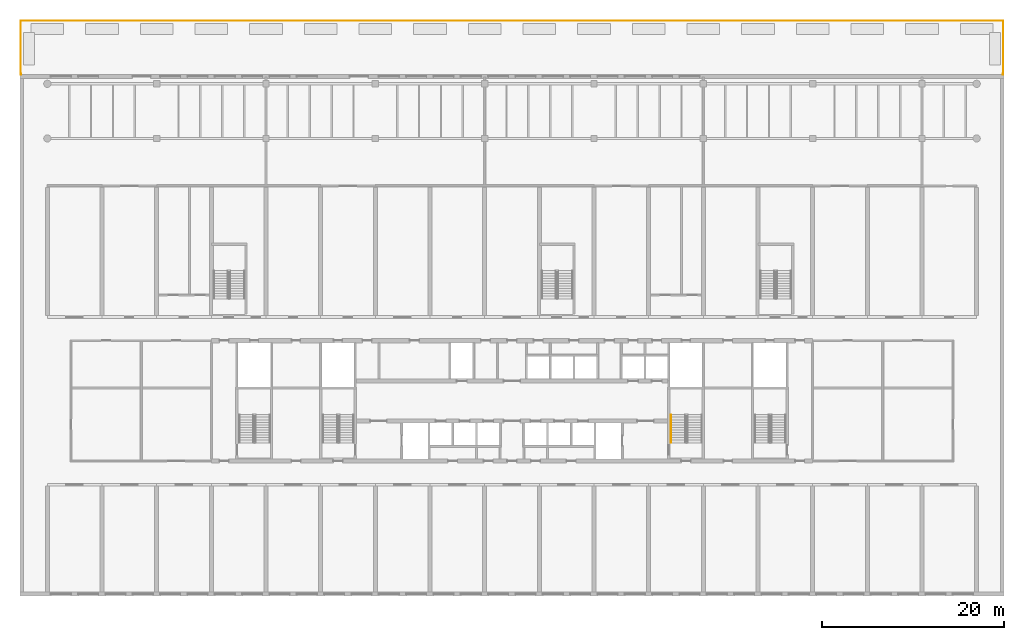
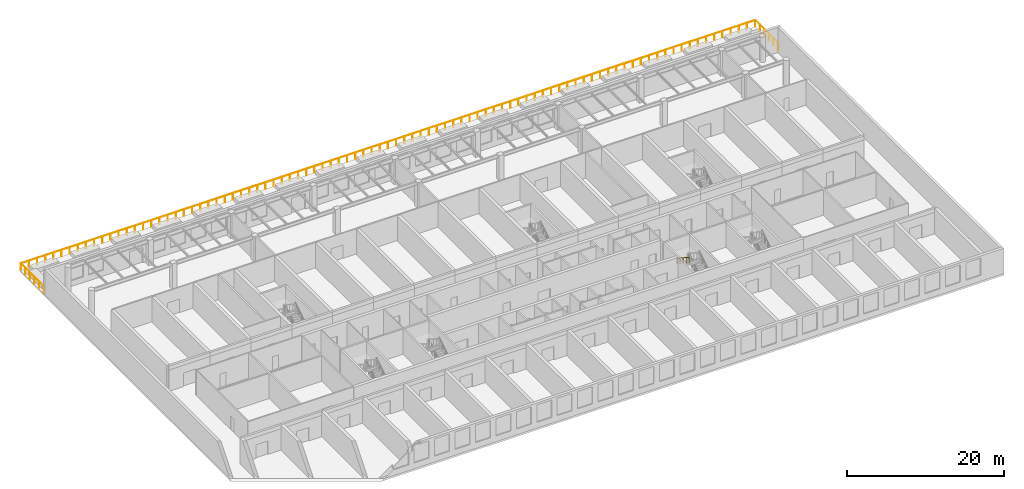
# One storey, part 15 of 16: 2 railings.
"""IFC4 building model written with IfcOpenShell, lengths in metres."""

import ifcopenshell
import ifcopenshell.guid

model = None  # the IFC model being written
_history = None  # IfcOwnerHistory: only IFC2X3 demands one
_inside = {}  # id of a spatial element -> (the spatial element, [elements in it])
_under = {}  # id of a project, library or spatial element -> (it, [spatial elements below it])
_declared = {}  # id of a project -> (the project, [libraries it declares])
_typed = {}  # id of a type object -> (the type object, [elements of that type])
_made_of = {}  # id of a material, layer set ... -> (it, [elements and type objects made of it])


def new_model(schema):
    """Start an empty IFC model of exactly this schema.

    Asked for "IFC4X3", IfcOpenShell would pick the latest addendum, in which some entities
    have other attributes; the version numbers below select the first issue.
    IFC2X3 requires an IfcOwnerHistory on every rooted entity: one is made here for all.
    """
    global model, _history
    if schema == "IFC4X3":
        model = ifcopenshell.file(schema_version=(4, 3, 0, 0))
    else:
        model = ifcopenshell.file(schema=schema)
    _inside.clear()
    _under.clear()
    _declared.clear()
    _typed.clear()
    _made_of.clear()
    _history = None
    if model.schema == "IFC2X3":
        org = make("IfcOrganization", Name="unknown")
        user = make(
            "IfcPersonAndOrganization",
            ThePerson=make("IfcPerson", FamilyName="unknown"),
            TheOrganization=org,
        )
        app = make(
            "IfcApplication",
            ApplicationDeveloper=org,
            Version="unknown",
            ApplicationFullName="unknown",
            ApplicationIdentifier="unknown",
        )
        _history = make(
            "IfcOwnerHistory",
            OwningUser=user,
            OwningApplication=app,
            ChangeAction="ADDED",
            CreationDate=0,
        )
    return model


def make(cls, **values):
    """One entity of the class cls with the attributes given. An attribute that is None is left unset."""
    return model.create_entity(
        cls, **{name: value for name, value in values.items() if value is not None}
    )


def rooted(cls, **values):
    """An entity with a GlobalId (a new one), such as an element, a storey or a relation."""
    return make(cls, GlobalId=ifcopenshell.guid.new(), OwnerHistory=_history, **values)


def si_unit(unit_type, name, prefix=None):
    """IfcSIUnit, for example si_unit("LENGTHUNIT", "METRE", prefix="MILLI")."""
    return make("IfcSIUnit", UnitType=unit_type, Prefix=prefix, Name=name)


def assignment(units):
    """IfcUnitAssignment: the units of a project."""
    return None if units is None else make("IfcUnitAssignment", Units=units)


def point(xyz):
    """IfcCartesianPoint."""
    return None if xyz is None else make("IfcCartesianPoint", Coordinates=xyz)


def direction(xyz):
    """IfcDirection."""
    return None if xyz is None else make("IfcDirection", DirectionRatios=xyz)


def frame(location, z_axis=None, x_axis=None):
    """IfcAxis2Placement3D, a coordinate frame: its origin and axes. An axis left out is left unset."""
    return make(
        "IfcAxis2Placement3D",
        Location=point(location),
        Axis=direction(z_axis),
        RefDirection=direction(x_axis),
    )


def frame_2d(location, x_axis=None):
    """IfcAxis2Placement2D, a coordinate frame in the plane: its origin and x axis."""
    return make(
        "IfcAxis2Placement2D", Location=point(location), RefDirection=direction(x_axis)
    )


def origin():
    """The frame at (0, 0, 0) with its axes left unset."""
    return frame((0.0, 0.0, 0.0))


def origin_2d():
    """The frame at (0, 0) in the plane with its x axis left unset."""
    return frame_2d((0.0, 0.0))


def place(relative_to, where):
    """IfcLocalPlacement: puts the frame where relative to a parent placement (None: the world)."""
    return make(
        "IfcLocalPlacement", PlacementRelTo=relative_to, RelativePlacement=where
    )


def context(
    kind, dimensions, precision=None, world=None, true_north=None, identifier=None
):
    """IfcGeometricRepresentationContext, for example the 3D "Model" context."""
    return make(
        "IfcGeometricRepresentationContext",
        ContextIdentifier=identifier,
        ContextType=kind,
        CoordinateSpaceDimension=dimensions,
        Precision=precision,
        WorldCoordinateSystem=world,
        TrueNorth=true_north,
    )


def subcontext(parent, identifier, kind, view, scale=None):
    """IfcGeometricRepresentationSubContext, for example "Body" below "Model"."""
    return make(
        "IfcGeometricRepresentationSubContext",
        ContextIdentifier=identifier,
        ContextType=kind,
        ParentContext=parent,
        TargetScale=scale,
        TargetView=view,
    )


def project(units=None, contexts=None):
    """IfcProject with its units and contexts."""
    return rooted(
        "IfcProject",
        Name="project",
        RepresentationContexts=contexts,
        UnitsInContext=assignment(units),
    )


def spatial(cls, under=None, at=None, **own):
    """A site, building, storey or space (cls), placed at a placement, below another one or the project."""
    s = rooted(cls, ObjectPlacement=at, **own)
    if under is not None:
        _under.setdefault(under.id(), (under, []))[1].append(s)
    return s


def profile(cls, at=None, kind="AREA", **sizes):
    """A parametric profile (cls). Its sizes go by their IFC names, for example OverallWidth=200.0."""
    return make(cls, ProfileType=kind, Position=at, **sizes)


def circle(**sizes):
    """IfcCircleProfileDef."""
    return profile("IfcCircleProfileDef", **sizes)


def extrude(swept, where, along, depth):
    """IfcExtrudedAreaSolid: the profile swept, set in the frame where, extruded along a direction by depth."""
    return make(
        "IfcExtrudedAreaSolid",
        SweptArea=swept,
        Position=where,
        ExtrudedDirection=direction(along),
        Depth=depth,
    )


def shape(context_of_items, identifier, shape_type, items):
    """IfcShapeRepresentation: the items that make up one representation, for example the "Body"."""
    return make(
        "IfcShapeRepresentation",
        ContextOfItems=context_of_items,
        RepresentationIdentifier=identifier,
        RepresentationType=shape_type,
        Items=items,
    )


def material(Name=None, Category=None):
    """IfcMaterial."""
    return make("IfcMaterial", Name=Name, Category=Category)


def made_of(thing, what):
    """Note that an element or type object is made of a material, layer set ...; save() writes the relation."""
    if what is not None:
        _made_of.setdefault(what.id(), (what, []))[1].append(thing)
    return thing


def type_object(cls, material=None, **own):
    """A type object (cls), such as IfcWallType, which elements share."""
    return made_of(rooted(cls, **own), material)


def element(
    cls,
    number,
    at=None,
    inside=None,
    cuts=None,
    type_object=None,
    material=None,
    context=None,
    identifier="Body",
    shape_type=None,
    held_by="IfcProductDefinitionShape",
    body=None,
    shapes=None,
    **own,
):
    """One element of the class cls, such as IfcWall. Its Tag is "e" and its number.

    at: its placement. inside: the storey or other place that contains it. cuts: it is an
    opening in that element (IfcRelVoidsElement). A single representation is given by context,
    identifier, shape_type and body (its items); several are given by shapes. held_by: the class
    of the entity that holds the representations. save() writes the other relations.
    """
    e = rooted(cls, Tag="e%d" % number, ObjectPlacement=at, **own)
    if body is not None:
        shapes = [shape(context, identifier, shape_type, body)]
    if shapes is not None:
        e.Representation = make(held_by, Representations=shapes)
    if inside is not None:
        _inside.setdefault(inside.id(), (inside, []))[1].append(e)
    if cuts is not None:
        rooted(
            "IfcRelVoidsElement", RelatingBuildingElement=cuts, RelatedOpeningElement=e
        )
    if type_object is not None:
        _typed.setdefault(type_object.id(), (type_object, []))[1].append(e)
    return made_of(e, material)


def aggregate(whole, parts):
    """IfcRelAggregates: a whole, such as a stair, and the parts it consists of."""
    return rooted("IfcRelAggregates", RelatingObject=whole, RelatedObjects=parts)


def save(model, path):
    """Write the relations noted so far, then the file.

    IfcRelAggregates (storeys below a building ...), IfcRelContainedInSpatialStructure (elements
    in a storey), IfcRelDefinesByType, IfcRelAssociatesMaterial and IfcRelDeclares: one each for
    every whole, place, type object, material and project.
    """
    for whole, parts in _under.values():
        aggregate(whole, parts)
    for where, things in _inside.values():
        rooted(
            "IfcRelContainedInSpatialStructure",
            RelatedElements=things,
            RelatingStructure=where,
        )
    for kind, things in _typed.values():
        rooted("IfcRelDefinesByType", RelatedObjects=things, RelatingType=kind)
    for what, things in _made_of.values():
        rooted("IfcRelAssociatesMaterial", RelatedObjects=things, RelatingMaterial=what)
    for by, libraries in _declared.values():
        rooted("IfcRelDeclares", RelatingContext=by, RelatedDefinitions=libraries)
    model.write(path)


model = new_model("IFC4")

# Units and contexts
model_context = context("Model", 3, precision=1e-05, world=origin(), true_north=direction((0.0, 1.0)))
body_context = subcontext(model_context, "Body", "Model", "MODEL_VIEW")
ifc_project = project(units=[si_unit("LENGTHUNIT", "METRE"), si_unit("AREAUNIT", "SQUARE_METRE"), si_unit("VOLUMEUNIT", "CUBIC_METRE"), si_unit("PLANEANGLEUNIT", "RADIAN"), si_unit("MASSUNIT", "GRAM", prefix="KILO")], contexts=[model_context])

# Site, building, storey
site_placement = place(None, origin())
site = spatial("IfcSite", under=ifc_project, at=site_placement, CompositionType="ELEMENT")
building_placement = place(site_placement, origin())
building = spatial("IfcBuilding", under=site, at=building_placement, Name="Poui Terraces", CompositionType="ELEMENT")
storey_placement = place(building_placement, frame((0.0, 0.0, 15.0)))
storey = spatial("IfcBuildingStorey", under=building, at=storey_placement, Name="L03", CompositionType="ELEMENT", Elevation=15.0)

# Railings
ifc_material_1 = material(Name="Stainless steel handrail", Category="steel")
railing_type_1 = type_object("IfcRailingType", Name="STAIR HANDRAIL 900", PredefinedType="HANDRAIL", material=ifc_material_1)
railing_1_placement = place(storey_placement, frame((68.47509765625, 19.679931640625, 2.27490234375)))
element("IfcRailing", 1, at=railing_1_placement, inside=storey, type_object=railing_type_1, Name="L03 ST-CE stair handrail 2", PredefinedType="HANDRAIL", context=body_context, shape_type="SweptSolid", body=[
    extrude(circle(Radius=0.02392578125, at=origin_2d()), frame((0.0, 0.0, 0.8759765625), z_axis=(0.0, -0.847979421464, 0.530029150871), x_axis=(1.0, 0.0, 0.0)), (0.0, 0.0, 1.0), 3.632080078125),
    extrude(circle(Radius=0.02099609375, at=origin_2d()), origin(), (0.0, 0.0, 1.0), 0.851806640625),
    extrude(circle(Radius=0.02099609375, at=origin_2d()), frame((0.0, -0.77001953125, 0.481201171875)), (0.0, 0.0, 1.0), 0.851806640625),
    extrude(circle(Radius=0.02099609375, at=origin_2d()), frame((0.0, -1.5400390625, 0.96240234375)), (0.0, 0.0, 1.0), 0.851806640625),
    extrude(circle(Radius=0.02099609375, at=origin_2d()), frame((0.0, -2.309814453125, 1.44384765625)), (0.0, 0.0, 1.0), 0.851806640625),
    extrude(circle(Radius=0.02099609375, at=origin_2d()), frame((0.0, -3.079833984375, 1.925048828125)), (0.0, 0.0, 1.0), 0.851806640625),
])
ifc_material_2 = material(Name="Painted steel fretwork", Category="steel")
railing_type_2 = type_object("IfcRailingType", Name="TERRACE GUARD 1100", PredefinedType="GUARDRAIL", material=ifc_material_2)
railing_2_placement = place(storey_placement, frame((-2.89990234375, 57.0, 0.0)))
element("IfcRailing", 2, at=railing_2_placement, inside=storey, type_object=railing_type_2, Name="TERRACE GUARD", PredefinedType="GUARDRAIL", context=body_context, shape_type="SweptSolid", body=[
    extrude(circle(Radius=0.02392578125, at=origin_2d()), frame((0.0, 0.0, 1.076171875), z_axis=(0.0, 1.0, 0.0), x_axis=(-1.0, 0.0, 0.0)), (0.0, 0.0, 1.0), 0.080078125),
    extrude(circle(Radius=0.02392578125, at=origin_2d()), frame((0.0, 0.080078125, 1.076171875), z_axis=(-1.0, 0.0, 0.0), x_axis=(0.0, -1.0, 0.0)), (0.0, 0.0, 1.0), 0.02001953125),
    extrude(circle(Radius=0.02392578125, at=origin_2d()), frame((-0.02001953125, 0.080078125, 1.076171875), z_axis=(0.0, 1.0, 0.0), x_axis=(-1.0, 0.0, 0.0)), (0.0, 0.0, 1.0), 5.83984375),
    extrude(circle(Radius=0.02392578125, at=origin_2d()), frame((-0.02001953125, 5.919921875, 1.076171875), z_axis=(1.0, 0.0, 0.0), x_axis=(0.0, 1.0, 0.0)), (0.0, 0.0, 1.0), 107.83984375),
    extrude(circle(Radius=0.02392578125, at=origin_2d()), frame((107.81982421875, 5.919921875, 1.076171875), z_axis=(0.0, -1.0, 0.0), x_axis=(1.0, 0.0, 0.0)), (0.0, 0.0, 1.0), 5.83984375),
    extrude(circle(Radius=0.02392578125, at=origin_2d()), frame((107.81982421875, 0.080078125, 1.076171875), z_axis=(-1.0, 0.0, 0.0), x_axis=(0.0, -1.0, 0.0)), (0.0, 0.0, 1.0), 0.02001953125),
    extrude(circle(Radius=0.02392578125, at=origin_2d()), frame((107.7998046875, 0.080078125, 1.076171875), z_axis=(0.0, -1.0, 0.0), x_axis=(1.0, 0.0, 0.0)), (0.0, 0.0, 1.0), 0.080078125),
    extrude(circle(Radius=0.02099609375, at=origin_2d()), origin(), (0.0, 0.0, 1.0), 1.052001953125),
    extrude(circle(Radius=0.02099609375, at=origin_2d()), frame((0.0, 0.080078125, 0.0)), (0.0, 0.0, 1.0), 1.052001953125),
    extrude(circle(Radius=0.02099609375, at=origin_2d()), frame((-0.02001953125, 0.080078125, 0.0)), (0.0, 0.0, 1.0), 1.052001953125),
    extrude(circle(Radius=0.02099609375, at=origin_2d()), frame((-0.02001953125, 1.248046875, 0.0)), (0.0, 0.0, 1.0), 1.052001953125),
    extrude(circle(Radius=0.02099609375, at=origin_2d()), frame((-0.02001953125, 2.416015625, 0.0)), (0.0, 0.0, 1.0), 1.052001953125),
    extrude(circle(Radius=0.02099609375, at=origin_2d()), frame((-0.02001953125, 3.583984375, 0.0)), (0.0, 0.0, 1.0), 1.052001953125),
    extrude(circle(Radius=0.02099609375, at=origin_2d()), frame((-0.02001953125, 4.751953125, 0.0)), (0.0, 0.0, 1.0), 1.052001953125),
    extrude(circle(Radius=0.02099609375, at=origin_2d()), frame((-0.02001953125, 5.919921875, 0.0)), (0.0, 0.0, 1.0), 1.052001953125),
    extrude(circle(Radius=0.02099609375, at=origin_2d()), frame((1.17822265625, 5.919921875, 0.0)), (0.0, 0.0, 1.0), 1.052001953125),
    extrude(circle(Radius=0.02099609375, at=origin_2d()), frame((2.37646484375, 5.919921875, 0.0)), (0.0, 0.0, 1.0), 1.052001953125),
    extrude(circle(Radius=0.02099609375, at=origin_2d()), frame((3.57470703125, 5.919921875, 0.0)), (0.0, 0.0, 1.0), 1.052001953125),
    extrude(circle(Radius=0.02099609375, at=origin_2d()), frame((4.77294921875, 5.919921875, 0.0)), (0.0, 0.0, 1.0), 1.052001953125),
    extrude(circle(Radius=0.02099609375, at=origin_2d()), frame((5.97119140625, 5.919921875, 0.0)), (0.0, 0.0, 1.0), 1.052001953125),
    extrude(circle(Radius=0.02099609375, at=origin_2d()), frame((7.169189453125, 5.919921875, 0.0)), (0.0, 0.0, 1.0), 1.052001953125),
    extrude(circle(Radius=0.02099609375, at=origin_2d()), frame((8.367431640625, 5.919921875, 0.0)), (0.0, 0.0, 1.0), 1.052001953125),
    extrude(circle(Radius=0.02099609375, at=origin_2d()), frame((9.565673828125, 5.919921875, 0.0)), (0.0, 0.0, 1.0), 1.052001953125),
    extrude(circle(Radius=0.02099609375, at=origin_2d()), frame((10.763916015625, 5.919921875, 0.0)), (0.0, 0.0, 1.0), 1.052001953125),
    extrude(circle(Radius=0.02099609375, at=origin_2d()), frame((11.962158203125, 5.919921875, 0.0)), (0.0, 0.0, 1.0), 1.052001953125),
    extrude(circle(Radius=0.02099609375, at=origin_2d()), frame((13.160400390625, 5.919921875, 0.0)), (0.0, 0.0, 1.0), 1.052001953125),
    extrude(circle(Radius=0.02099609375, at=origin_2d()), frame((14.358642578125, 5.919921875, 0.0)), (0.0, 0.0, 1.0), 1.052001953125),
    extrude(circle(Radius=0.02099609375, at=origin_2d()), frame((15.556884765625, 5.919921875, 0.0)), (0.0, 0.0, 1.0), 1.052001953125),
    extrude(circle(Radius=0.02099609375, at=origin_2d()), frame((16.755126953125, 5.919921875, 0.0)), (0.0, 0.0, 1.0), 1.052001953125),
    extrude(circle(Radius=0.02099609375, at=origin_2d()), frame((17.953369140625, 5.919921875, 0.0)), (0.0, 0.0, 1.0), 1.052001953125),
    extrude(circle(Radius=0.02099609375, at=origin_2d()), frame((19.151611328125, 5.919921875, 0.0)), (0.0, 0.0, 1.0), 1.052001953125),
    extrude(circle(Radius=0.02099609375, at=origin_2d()), frame((20.349609375, 5.919921875, 0.0)), (0.0, 0.0, 1.0), 1.052001953125),
    extrude(circle(Radius=0.02099609375, at=origin_2d()), frame((21.5478515625, 5.919921875, 0.0)), (0.0, 0.0, 1.0), 1.052001953125),
    extrude(circle(Radius=0.02099609375, at=origin_2d()), frame((22.74609375, 5.919921875, 0.0)), (0.0, 0.0, 1.0), 1.052001953125),
    extrude(circle(Radius=0.02099609375, at=origin_2d()), frame((23.9443359375, 5.919921875, 0.0)), (0.0, 0.0, 1.0), 1.052001953125),
    extrude(circle(Radius=0.02099609375, at=origin_2d()), frame((25.142578125, 5.919921875, 0.0)), (0.0, 0.0, 1.0), 1.052001953125),
    extrude(circle(Radius=0.02099609375, at=origin_2d()), frame((26.3408203125, 5.919921875, 0.0)), (0.0, 0.0, 1.0), 1.052001953125),
    extrude(circle(Radius=0.02099609375, at=origin_2d()), frame((27.5390625, 5.919921875, 0.0)), (0.0, 0.0, 1.0), 1.052001953125),
    extrude(circle(Radius=0.02099609375, at=origin_2d()), frame((28.7373046875, 5.919921875, 0.0)), (0.0, 0.0, 1.0), 1.052001953125),
    extrude(circle(Radius=0.02099609375, at=origin_2d()), frame((29.935546875, 5.919921875, 0.0)), (0.0, 0.0, 1.0), 1.052001953125),
    extrude(circle(Radius=0.02099609375, at=origin_2d()), frame((31.1337890625, 5.919921875, 0.0)), (0.0, 0.0, 1.0), 1.052001953125),
    extrude(circle(Radius=0.02099609375, at=origin_2d()), frame((32.33203125, 5.919921875, 0.0)), (0.0, 0.0, 1.0), 1.052001953125),
    extrude(circle(Radius=0.02099609375, at=origin_2d()), frame((33.5302734375, 5.919921875, 0.0)), (0.0, 0.0, 1.0), 1.052001953125),
    extrude(circle(Radius=0.02099609375, at=origin_2d()), frame((34.728271484375, 5.919921875, 0.0)), (0.0, 0.0, 1.0), 1.052001953125),
    extrude(circle(Radius=0.02099609375, at=origin_2d()), frame((35.926513671875, 5.919921875, 0.0)), (0.0, 0.0, 1.0), 1.052001953125),
    extrude(circle(Radius=0.02099609375, at=origin_2d()), frame((37.124755859375, 5.919921875, 0.0)), (0.0, 0.0, 1.0), 1.052001953125),
    extrude(circle(Radius=0.02099609375, at=origin_2d()), frame((38.322998046875, 5.919921875, 0.0)), (0.0, 0.0, 1.0), 1.052001953125),
    extrude(circle(Radius=0.02099609375, at=origin_2d()), frame((39.521240234375, 5.919921875, 0.0)), (0.0, 0.0, 1.0), 1.052001953125),
    extrude(circle(Radius=0.02099609375, at=origin_2d()), frame((40.719482421875, 5.919921875, 0.0)), (0.0, 0.0, 1.0), 1.052001953125),
    extrude(circle(Radius=0.02099609375, at=origin_2d()), frame((41.917724609375, 5.919921875, 0.0)), (0.0, 0.0, 1.0), 1.052001953125),
    extrude(circle(Radius=0.02099609375, at=origin_2d()), frame((43.115966796875, 5.919921875, 0.0)), (0.0, 0.0, 1.0), 1.052001953125),
    extrude(circle(Radius=0.02099609375, at=origin_2d()), frame((44.314208984375, 5.919921875, 0.0)), (0.0, 0.0, 1.0), 1.052001953125),
    extrude(circle(Radius=0.02099609375, at=origin_2d()), frame((45.512451171875, 5.919921875, 0.0)), (0.0, 0.0, 1.0), 1.052001953125),
    extrude(circle(Radius=0.02099609375, at=origin_2d()), frame((46.710693359375, 5.919921875, 0.0)), (0.0, 0.0, 1.0), 1.052001953125),
    extrude(circle(Radius=0.02099609375, at=origin_2d()), frame((47.90869140625, 5.919921875, 0.0)), (0.0, 0.0, 1.0), 1.052001953125),
    extrude(circle(Radius=0.02099609375, at=origin_2d()), frame((49.10693359375, 5.919921875, 0.0)), (0.0, 0.0, 1.0), 1.052001953125),
    extrude(circle(Radius=0.02099609375, at=origin_2d()), frame((50.30517578125, 5.919921875, 0.0)), (0.0, 0.0, 1.0), 1.052001953125),
    extrude(circle(Radius=0.02099609375, at=origin_2d()), frame((51.50341796875, 5.919921875, 0.0)), (0.0, 0.0, 1.0), 1.052001953125),
    extrude(circle(Radius=0.02099609375, at=origin_2d()), frame((52.70166015625, 5.919921875, 0.0)), (0.0, 0.0, 1.0), 1.052001953125),
    extrude(circle(Radius=0.02099609375, at=origin_2d()), frame((53.89990234375, 5.919921875, 0.0)), (0.0, 0.0, 1.0), 1.052001953125),
    extrude(circle(Radius=0.02099609375, at=origin_2d()), frame((55.09814453125, 5.919921875, 0.0)), (0.0, 0.0, 1.0), 1.052001953125),
    extrude(circle(Radius=0.02099609375, at=origin_2d()), frame((56.29638671875, 5.919921875, 0.0)), (0.0, 0.0, 1.0), 1.052001953125),
    extrude(circle(Radius=0.02099609375, at=origin_2d()), frame((57.49462890625, 5.919921875, 0.0)), (0.0, 0.0, 1.0), 1.052001953125),
    extrude(circle(Radius=0.02099609375, at=origin_2d()), frame((58.69287109375, 5.919921875, 0.0)), (0.0, 0.0, 1.0), 1.052001953125),
    extrude(circle(Radius=0.02099609375, at=origin_2d()), frame((59.89111328125, 5.919921875, 0.0)), (0.0, 0.0, 1.0), 1.052001953125),
    extrude(circle(Radius=0.02099609375, at=origin_2d()), frame((61.089111328125, 5.919921875, 0.0)), (0.0, 0.0, 1.0), 1.052001953125),
    extrude(circle(Radius=0.02099609375, at=origin_2d()), frame((62.287353515625, 5.919921875, 0.0)), (0.0, 0.0, 1.0), 1.052001953125),
    extrude(circle(Radius=0.02099609375, at=origin_2d()), frame((63.485595703125, 5.919921875, 0.0)), (0.0, 0.0, 1.0), 1.052001953125),
    extrude(circle(Radius=0.02099609375, at=origin_2d()), frame((64.683837890625, 5.919921875, 0.0)), (0.0, 0.0, 1.0), 1.052001953125),
    extrude(circle(Radius=0.02099609375, at=origin_2d()), frame((65.882080078125, 5.919921875, 0.0)), (0.0, 0.0, 1.0), 1.052001953125),
    extrude(circle(Radius=0.02099609375, at=origin_2d()), frame((67.080322265625, 5.919921875, 0.0)), (0.0, 0.0, 1.0), 1.052001953125),
    extrude(circle(Radius=0.02099609375, at=origin_2d()), frame((68.278564453125, 5.919921875, 0.0)), (0.0, 0.0, 1.0), 1.052001953125),
    extrude(circle(Radius=0.02099609375, at=origin_2d()), frame((69.476806640625, 5.919921875, 0.0)), (0.0, 0.0, 1.0), 1.052001953125),
    extrude(circle(Radius=0.02099609375, at=origin_2d()), frame((70.675048828125, 5.919921875, 0.0)), (0.0, 0.0, 1.0), 1.052001953125),
    extrude(circle(Radius=0.02099609375, at=origin_2d()), frame((71.873291015625, 5.919921875, 0.0)), (0.0, 0.0, 1.0), 1.052001953125),
    extrude(circle(Radius=0.02099609375, at=origin_2d()), frame((73.071533203125, 5.919921875, 0.0)), (0.0, 0.0, 1.0), 1.052001953125),
    extrude(circle(Radius=0.02099609375, at=origin_2d()), frame((74.26953125, 5.919921875, 0.0)), (0.0, 0.0, 1.0), 1.052001953125),
    extrude(circle(Radius=0.02099609375, at=origin_2d()), frame((75.4677734375, 5.919921875, 0.0)), (0.0, 0.0, 1.0), 1.052001953125),
    extrude(circle(Radius=0.02099609375, at=origin_2d()), frame((76.666015625, 5.919921875, 0.0)), (0.0, 0.0, 1.0), 1.052001953125),
    extrude(circle(Radius=0.02099609375, at=origin_2d()), frame((77.8642578125, 5.919921875, 0.0)), (0.0, 0.0, 1.0), 1.052001953125),
    extrude(circle(Radius=0.02099609375, at=origin_2d()), frame((79.0625, 5.919921875, 0.0)), (0.0, 0.0, 1.0), 1.052001953125),
    extrude(circle(Radius=0.02099609375, at=origin_2d()), frame((80.2607421875, 5.919921875, 0.0)), (0.0, 0.0, 1.0), 1.052001953125),
    extrude(circle(Radius=0.02099609375, at=origin_2d()), frame((81.458984375, 5.919921875, 0.0)), (0.0, 0.0, 1.0), 1.052001953125),
    extrude(circle(Radius=0.02099609375, at=origin_2d()), frame((82.6572265625, 5.919921875, 0.0)), (0.0, 0.0, 1.0), 1.052001953125),
    extrude(circle(Radius=0.02099609375, at=origin_2d()), frame((83.85546875, 5.919921875, 0.0)), (0.0, 0.0, 1.0), 1.052001953125),
    extrude(circle(Radius=0.02099609375, at=origin_2d()), frame((85.0537109375, 5.919921875, 0.0)), (0.0, 0.0, 1.0), 1.052001953125),
    extrude(circle(Radius=0.02099609375, at=origin_2d()), frame((86.251953125, 5.919921875, 0.0)), (0.0, 0.0, 1.0), 1.052001953125),
    extrude(circle(Radius=0.02099609375, at=origin_2d()), frame((87.4501953125, 5.919921875, 0.0)), (0.0, 0.0, 1.0), 1.052001953125),
    extrude(circle(Radius=0.02099609375, at=origin_2d()), frame((88.648193359375, 5.919921875, 0.0)), (0.0, 0.0, 1.0), 1.052001953125),
    extrude(circle(Radius=0.02099609375, at=origin_2d()), frame((89.846435546875, 5.919921875, 0.0)), (0.0, 0.0, 1.0), 1.052001953125),
    extrude(circle(Radius=0.02099609375, at=origin_2d()), frame((91.044677734375, 5.919921875, 0.0)), (0.0, 0.0, 1.0), 1.052001953125),
    extrude(circle(Radius=0.02099609375, at=origin_2d()), frame((92.242919921875, 5.919921875, 0.0)), (0.0, 0.0, 1.0), 1.052001953125),
    extrude(circle(Radius=0.02099609375, at=origin_2d()), frame((93.441162109375, 5.919921875, 0.0)), (0.0, 0.0, 1.0), 1.052001953125),
    extrude(circle(Radius=0.02099609375, at=origin_2d()), frame((94.639404296875, 5.919921875, 0.0)), (0.0, 0.0, 1.0), 1.052001953125),
    extrude(circle(Radius=0.02099609375, at=origin_2d()), frame((95.837646484375, 5.919921875, 0.0)), (0.0, 0.0, 1.0), 1.052001953125),
    extrude(circle(Radius=0.02099609375, at=origin_2d()), frame((97.035888671875, 5.919921875, 0.0)), (0.0, 0.0, 1.0), 1.052001953125),
    extrude(circle(Radius=0.02099609375, at=origin_2d()), frame((98.234130859375, 5.919921875, 0.0)), (0.0, 0.0, 1.0), 1.052001953125),
    extrude(circle(Radius=0.02099609375, at=origin_2d()), frame((99.432373046875, 5.919921875, 0.0)), (0.0, 0.0, 1.0), 1.052001953125),
    extrude(circle(Radius=0.02099609375, at=origin_2d()), frame((100.630615234375, 5.919921875, 0.0)), (0.0, 0.0, 1.0), 1.052001953125),
    extrude(circle(Radius=0.02099609375, at=origin_2d()), frame((101.82861328125, 5.919921875, 0.0)), (0.0, 0.0, 1.0), 1.052001953125),
    extrude(circle(Radius=0.02099609375, at=origin_2d()), frame((103.02685546875, 5.919921875, 0.0)), (0.0, 0.0, 1.0), 1.052001953125),
    extrude(circle(Radius=0.02099609375, at=origin_2d()), frame((104.22509765625, 5.919921875, 0.0)), (0.0, 0.0, 1.0), 1.052001953125),
    extrude(circle(Radius=0.02099609375, at=origin_2d()), frame((105.42333984375, 5.919921875, 0.0)), (0.0, 0.0, 1.0), 1.052001953125),
    extrude(circle(Radius=0.02099609375, at=origin_2d()), frame((106.62158203125, 5.919921875, 0.0)), (0.0, 0.0, 1.0), 1.052001953125),
    extrude(circle(Radius=0.02099609375, at=origin_2d()), frame((107.81982421875, 5.919921875, 0.0)), (0.0, 0.0, 1.0), 1.052001953125),
    extrude(circle(Radius=0.02099609375, at=origin_2d()), frame((107.81982421875, 4.751953125, 0.0)), (0.0, 0.0, 1.0), 1.052001953125),
    extrude(circle(Radius=0.02099609375, at=origin_2d()), frame((107.81982421875, 3.583984375, 0.0)), (0.0, 0.0, 1.0), 1.052001953125),
    extrude(circle(Radius=0.02099609375, at=origin_2d()), frame((107.81982421875, 2.416015625, 0.0)), (0.0, 0.0, 1.0), 1.052001953125),
    extrude(circle(Radius=0.02099609375, at=origin_2d()), frame((107.81982421875, 1.248046875, 0.0)), (0.0, 0.0, 1.0), 1.052001953125),
    extrude(circle(Radius=0.02099609375, at=origin_2d()), frame((107.81982421875, 0.080078125, 0.0)), (0.0, 0.0, 1.0), 1.052001953125),
    extrude(circle(Radius=0.02099609375, at=origin_2d()), frame((107.7998046875, 0.080078125, 0.0)), (0.0, 0.0, 1.0), 1.052001953125),
    extrude(circle(Radius=0.02099609375, at=origin_2d()), frame((107.7998046875, 0.0, 0.0)), (0.0, 0.0, 1.0), 1.052001953125),
])

save(model, "model.ifc")
